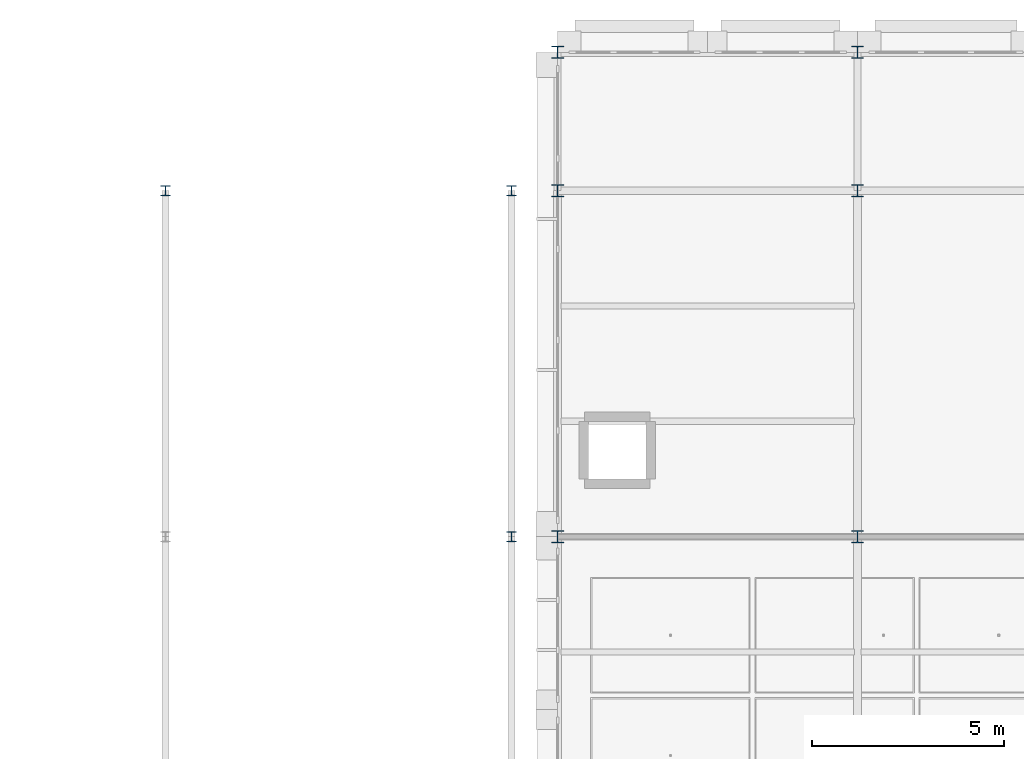
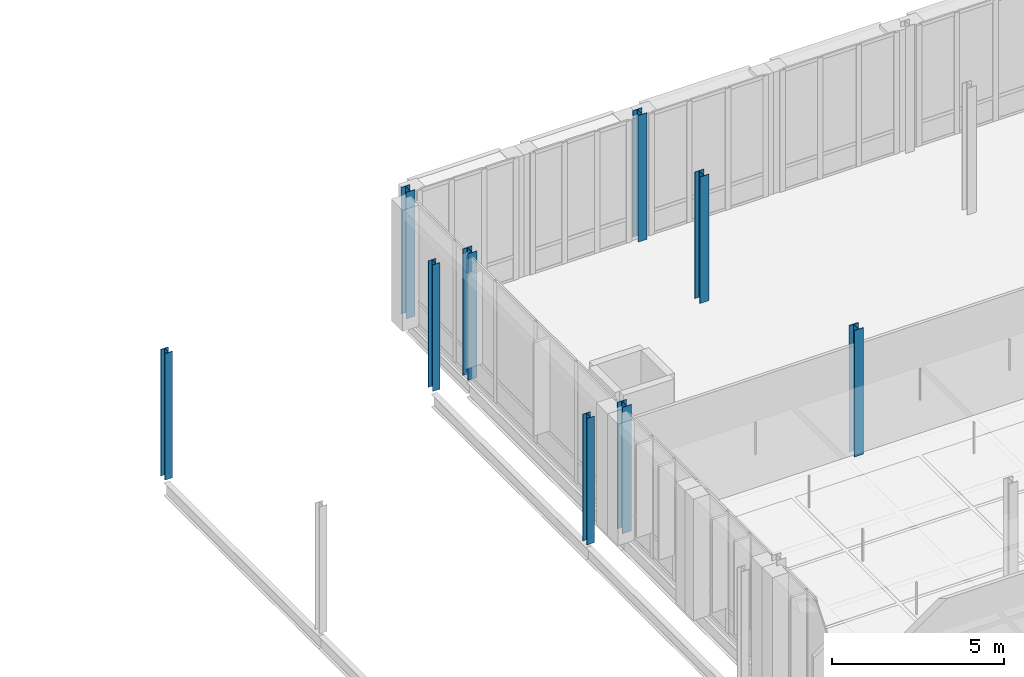
# One storey, part 14 of 130: 9 columns.
"""IFC4 building model written with IfcOpenShell, lengths in metres."""

from ifc_helpers import new_model, si_unit, direction, frame, origin, origin_2d, place, context, subcontext, project, spatial, i_section, extrude, material, material_profile, profile_set, type_object, element, save


model = new_model("IFC4")

# Units and contexts
model_context = context("Model", 3, precision=1e-05, world=origin(), true_north=direction((0.0, 1.0)))
body_context = subcontext(model_context, "Body", "Model", "MODEL_VIEW")
ifc_project = project(units=[si_unit("LENGTHUNIT", "METRE"), si_unit("AREAUNIT", "SQUARE_METRE"), si_unit("VOLUMEUNIT", "CUBIC_METRE"), si_unit("PLANEANGLEUNIT", "RADIAN"), si_unit("MASSUNIT", "GRAM", prefix="KILO"), si_unit("THERMODYNAMICTEMPERATUREUNIT", "KELVIN"), si_unit("POWERUNIT", "WATT")], contexts=[model_context])

# Site, building, storey
site_placement = place(None, origin())
site = spatial("IfcSite", under=ifc_project, at=site_placement, CompositionType="ELEMENT")
building_placement = place(site_placement, origin())
building = spatial("IfcBuilding", under=site, at=building_placement, Name="Tallowbark Science Centre", CompositionType="ELEMENT")
storey_placement = place(building_placement, frame((0.0, 0.0, 5.39990234375)))
storey = spatial("IfcBuildingStorey", under=building, at=storey_placement, Name="L01", CompositionType="ELEMENT", Elevation=5.39990234375)

# Columns
ifc_material = material(Name="Structural Steel Grade 300PLUS (300 MPa)", Category="steel")
ifc_material_profile_1 = material_profile(ifc_material, i_section(OverallWidth=0.256103515625, OverallDepth=0.260009765625, WebThickness=0.010498046875, FlangeThickness=0.017333984375, FilletRadius=0.013916015625, at=origin_2d()), Name="250UC89.5")
ifc_profile_set_1 = profile_set([ifc_material_profile_1], Name="Structural Steel Grade 300PLUS (300 MPa)")
column_type_1 = type_object("IfcColumnType", Name="COL-UC250A", PredefinedType="COLUMN", material=ifc_profile_set_1)
for number, where, z_axis, x_axis, name in (
    (1, (54.0, 99.0, 0.0), (0.0, 0.0, 1.0), (1.0, 0.0, 0.0), "Column PAS-E11 L01"),
    (2, (45.0, 108.0, 0.0), (0.0, 0.0, 1.0), (1.0, 0.0, 0.0), "Column PAS-W12 L01"),
    (3, (54.0, 108.0, 0.0), (0.0, 0.0, 1.0), (1.0, 0.0, 0.0), "Column PAS-E12 L01"),
):
    element("IfcColumn", number, at=place(storey_placement, frame(where, z_axis=z_axis, x_axis=x_axis)), inside=storey, type_object=column_type_1, Name=name, PredefinedType="COLUMN", context=body_context, shape_type="SweptSolid", body=[
        extrude(i_section(OverallWidth=0.256103515625, OverallDepth=0.260009765625, WebThickness=0.010498046875, FlangeThickness=0.017333984375, FilletRadius=0.013916015625, at=origin_2d()), origin(), (0.0, 0.0, 1.0), 4.5),
    ])
ifc_material_profile_2 = material_profile(ifc_material, i_section(OverallWidth=0.307373046875, OverallDepth=0.314697265625, WebThickness=0.011962890625, FlangeThickness=0.018798828125, FilletRadius=0.0166015625, at=origin_2d()), Name="310UC118")
ifc_profile_set_2 = profile_set([ifc_material_profile_2], Name="Structural Steel Grade 300PLUS (300 MPa)")
column_type_2 = type_object("IfcColumnType", Name="COL-UC310C", PredefinedType="COLUMN", material=ifc_profile_set_2)
column_placement = place(storey_placement, frame((63.0, 99.0, 0.0), z_axis=(0.0, 0.0, 1.0), x_axis=(1.0, 0.0, 0.0)))
element("IfcColumn", 4, at=column_placement, inside=storey, type_object=column_type_2, Name="Column LAB-1_3 L01", PredefinedType="COLUMN", context=body_context, shape_type="SweptSolid", body=[
    extrude(i_section(OverallWidth=0.307373046875, OverallDepth=0.314697265625, WebThickness=0.011962890625, FlangeThickness=0.018798828125, FilletRadius=0.0166015625, at=origin_2d()), origin(), (0.0, 0.0, 1.0), 4.5),
])
ifc_material_profile_3 = material_profile(ifc_material, i_section(OverallWidth=0.304931640625, OverallDepth=0.30810546875, WebThickness=0.010009765625, FlangeThickness=0.015380859375, FilletRadius=0.0166015625, at=origin_2d()), Name="310UC96.8")
ifc_profile_set_3 = profile_set([ifc_material_profile_3], Name="Structural Steel Grade 300PLUS (300 MPa)")
column_type_3 = type_object("IfcColumnType", Name="COL-UC310D", PredefinedType="COLUMN", material=ifc_profile_set_3)
for number, where, z_axis, x_axis, name in (
    (5, (55.199951171875, 99.0, 0.0), (0.0, 0.0, 1.0), (1.0, 0.0, 0.0), "Column LAB-0_3 L01"),
    (6, (55.199951171875, 108.0, 0.0), (0.0, 0.0, 1.0), (1.0, 0.0, 0.0), "Column LAB-0_4 L01"),
    (7, (55.199951171875, 111.60009765625, 0.0), (0.0, 0.0, 1.0), (1.0, 0.0, 0.0), "Column LAB-0_5 L01"),
    (8, (63.0, 108.0, 0.0), (0.0, 0.0, 1.0), (1.0, 0.0, 0.0), "Column LAB-1_4 L01"),
    (9, (63.0, 111.60009765625, 0.0), (0.0, 0.0, 1.0), (1.0, 0.0, 0.0), "Column LAB-1_5 L01"),
):
    element("IfcColumn", number, at=place(storey_placement, frame(where, z_axis=z_axis, x_axis=x_axis)), inside=storey, type_object=column_type_3, Name=name, PredefinedType="COLUMN", context=body_context, shape_type="SweptSolid", body=[
        extrude(i_section(OverallWidth=0.304931640625, OverallDepth=0.30810546875, WebThickness=0.010009765625, FlangeThickness=0.015380859375, FilletRadius=0.0166015625, at=origin_2d()), origin(), (0.0, 0.0, 1.0), 4.5),
    ])

save(model, "model.ifc")
